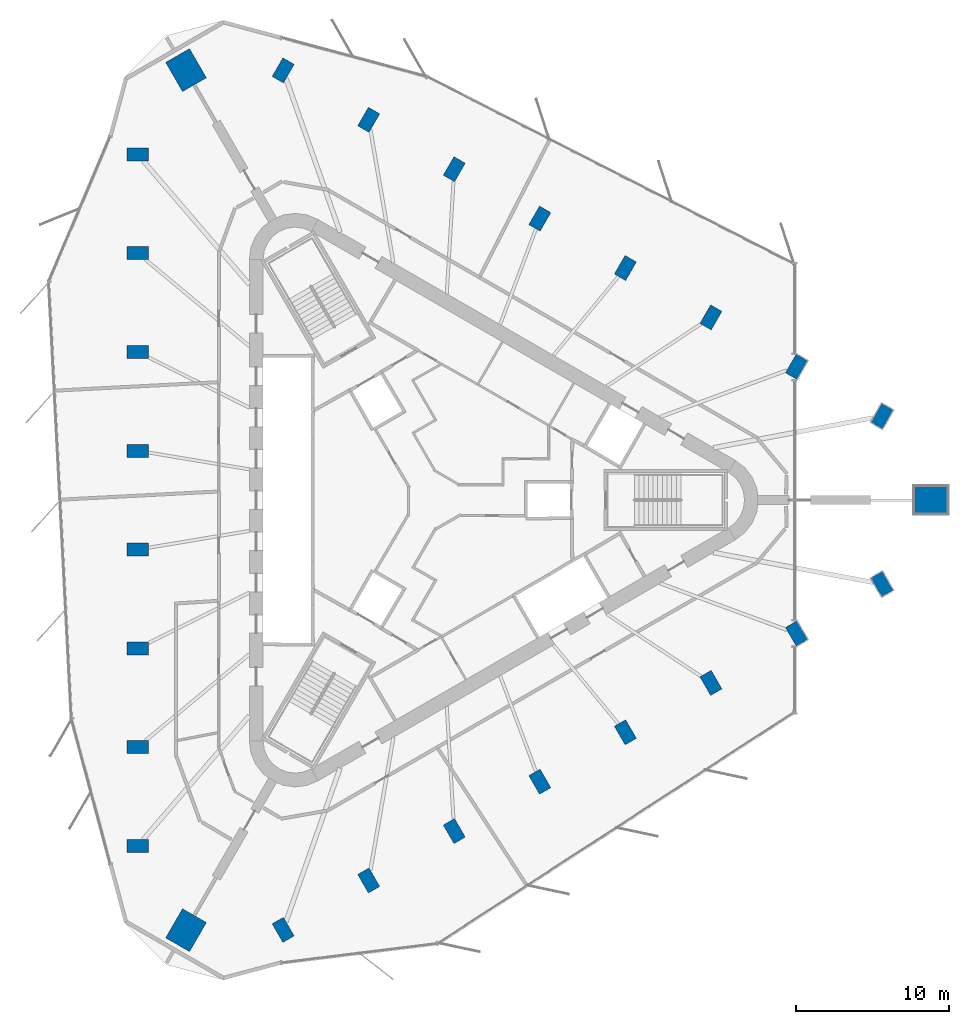
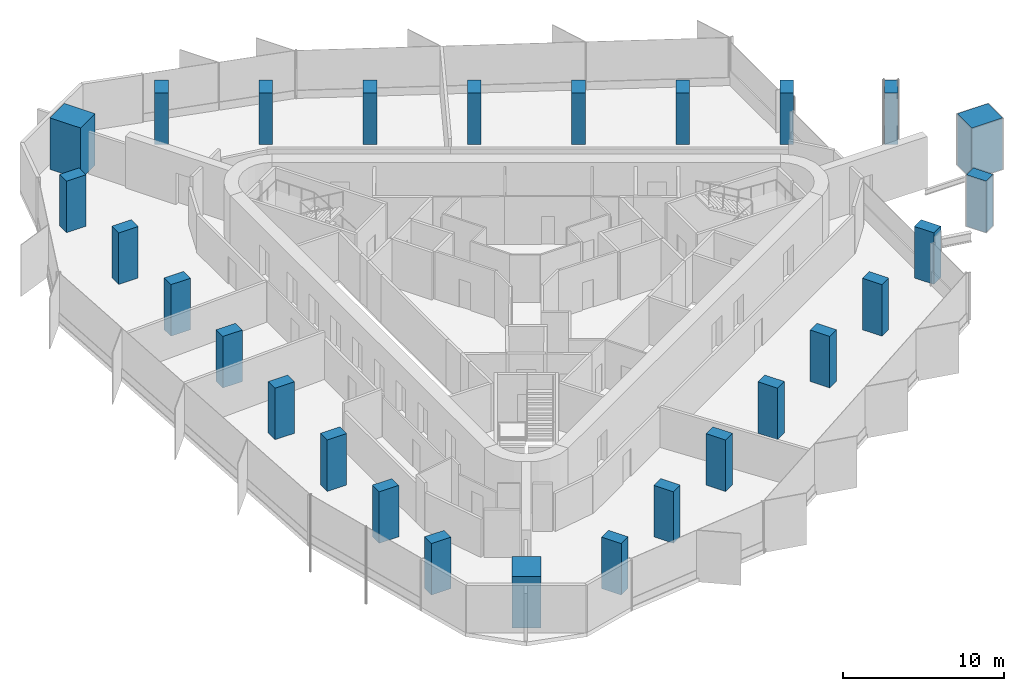
# One storey, part 1 of 12: 27 columns.
"""IFC4 building model written with IfcOpenShell, lengths in metres."""

from ifc_helpers import new_model, si_unit, direction, frame, origin, origin_2d, place, context, subcontext, project, spatial, rectangle, extrude, material, material_profile, profile_set, type_object, element, save


model = new_model("IFC4")

# Units and contexts
model_context = context("Model", 3, precision=1e-05, world=origin(), true_north=direction((0.0, 1.0)))
body_context = subcontext(model_context, "Body", "Model", "MODEL_VIEW")
ifc_project = project(units=[si_unit("LENGTHUNIT", "METRE"), si_unit("AREAUNIT", "SQUARE_METRE"), si_unit("VOLUMEUNIT", "CUBIC_METRE"), si_unit("PLANEANGLEUNIT", "RADIAN"), si_unit("MASSUNIT", "GRAM", prefix="KILO")], contexts=[model_context])

# Site, building, storey
site_placement = place(None, origin())
site = spatial("IfcSite", under=ifc_project, at=site_placement, CompositionType="ELEMENT")
building_placement = place(site_placement, origin())
building = spatial("IfcBuilding", under=site, at=building_placement, Name="Tanit Gate Tower", CompositionType="ELEMENT")
storey_placement = place(building_placement, frame((0.0, 0.0, 365.0)))
storey = spatial("IfcBuildingStorey", under=building, at=storey_placement, Name="L83", CompositionType="ELEMENT", Elevation=365.0)

# Columns
ifc_material_1 = material(Name="Concrete C50/60", Category="concrete")
ifc_material_profile_1 = material_profile(ifc_material_1, rectangle(XDim=2.199951171875, YDim=1.800048828125, at=origin_2d()), Name="RC 2200x1800")
ifc_profile_set_1 = profile_set([ifc_material_profile_1], Name="Concrete C50/60")
column_type_1 = type_object("IfcColumnType", Name="MEGA COLUMN 2200x1800 C50/60", PredefinedType="COLUMN", material=ifc_profile_set_1)
for number, where, z_axis, x_axis, name in (
    (1, (32.491455078125, 0.0, 0.0), (0.0, 0.0, 1.0), (1.0, 0.0, 0.0), "MEGA COLUMN"),
    (2, (-16.24560546875, 28.138427734375, 0.0), (0.0, 0.0, 1.0), (-0.5, 0.866025403784, 0.0), "MEGA COLUMN"),
    (3, (-16.24560546875, -28.138427734375, 0.0), (0.0, 0.0, 1.0), (-0.5, -0.866025403784, 0.0), "MEGA COLUMN"),
):
    element("IfcColumn", number, at=place(storey_placement, frame(where, z_axis=z_axis, x_axis=x_axis)), inside=storey, type_object=column_type_1, Name=name, PredefinedType="COLUMN", context=body_context, shape_type="SweptSolid", body=[
        extrude(rectangle(XDim=2.199951171875, YDim=1.800048828125, at=origin_2d()), origin(), (0.0, 0.0, 1.0), 3.89990234375),
    ])
ifc_material_2 = material(Name="Concrete C40/50", Category="concrete")
ifc_material_profile_2 = material_profile(ifc_material_2, rectangle(XDim=1.39990234375, YDim=0.85009765625, at=origin_2d()), Name="RC 1400x850")
ifc_profile_set_2 = profile_set([ifc_material_profile_2], Name="Concrete C40/50")
column_type_2 = type_object("IfcColumnType", Name="PERIMETER COLUMN 1400x850 C40/50", PredefinedType="COLUMN", material=ifc_profile_set_2)
for number, where, z_axis, x_axis, name in (
    (4, (-19.40576171875, 22.62353515625, 0.0), (0.0, 0.0, 1.0), (-1.0, 0.0, 0.0), "PERIMETER COLUMN"),
    (5, (-19.40576171875, 16.15966796875, 0.0), (0.0, 0.0, 1.0), (-1.0, 0.0, 0.0), "PERIMETER COLUMN"),
    (6, (-19.40576171875, 9.69580078125, 0.0), (0.0, 0.0, 1.0), (-1.0, 0.0, 0.0), "PERIMETER COLUMN"),
    (7, (-19.40576171875, 3.23193359375, 0.0), (0.0, 0.0, 1.0), (-1.0, 0.0, 0.0), "PERIMETER COLUMN"),
    (8, (-19.40576171875, -3.23193359375, 0.0), (0.0, 0.0, 1.0), (-1.0, 0.0, 0.0), "PERIMETER COLUMN"),
    (9, (-19.40576171875, -9.69580078125, 0.0), (0.0, 0.0, 1.0), (-1.0, 0.0, 0.0), "PERIMETER COLUMN"),
    (10, (-19.40576171875, -16.15966796875, 0.0), (0.0, 0.0, 1.0), (-1.0, 0.0, 0.0), "PERIMETER COLUMN"),
    (11, (-19.40576171875, -22.62353515625, 0.0), (0.0, 0.0, 1.0), (-1.0, 0.0, 0.0), "PERIMETER COLUMN"),
    (12, (29.295654296875, 5.494140625, 0.0), (0.0, 0.0, 1.0), (0.5, 0.866025403784, 0.0), "PERIMETER COLUMN"),
    (13, (23.69775390625, 8.72607421875, 0.0), (0.0, 0.0, 1.0), (0.5, 0.866025403784, 0.0), "PERIMETER COLUMN"),
    (14, (18.099853515625, 11.9580078125, 0.0), (0.0, 0.0, 1.0), (0.5, 0.866025403784, 0.0), "PERIMETER COLUMN"),
    (15, (12.501953125, 15.18994140625, 0.0), (0.0, 0.0, 1.0), (0.5, 0.866025403784, 0.0), "PERIMETER COLUMN"),
    (16, (6.904052734375, 18.421875, 0.0), (0.0, 0.0, 1.0), (0.5, 0.866025403784, 0.0), "PERIMETER COLUMN"),
    (17, (1.30615234375, 21.65380859375, 0.0), (0.0, 0.0, 1.0), (0.5, 0.866025403784, 0.0), "PERIMETER COLUMN"),
    (18, (-4.291748046875, 24.8857421875, 0.0), (0.0, 0.0, 1.0), (0.5, 0.866025403784, 0.0), "PERIMETER COLUMN"),
    (19, (-9.8896484375, 28.117919921875, 0.0), (0.0, 0.0, 1.0), (0.5, 0.866025403784, 0.0), "PERIMETER COLUMN"),
    (20, (-9.8896484375, -28.117919921875, 0.0), (0.0, 0.0, 1.0), (0.5, -0.866025403784, 0.0), "PERIMETER COLUMN"),
    (21, (-4.291748046875, -24.8857421875, 0.0), (0.0, 0.0, 1.0), (0.5, -0.866025403784, 0.0), "PERIMETER COLUMN"),
    (22, (1.30615234375, -21.65380859375, 0.0), (0.0, 0.0, 1.0), (0.5, -0.866025403784, 0.0), "PERIMETER COLUMN"),
    (23, (6.904052734375, -18.421875, 0.0), (0.0, 0.0, 1.0), (0.5, -0.866025403784, 0.0), "PERIMETER COLUMN"),
    (24, (12.501953125, -15.18994140625, 0.0), (0.0, 0.0, 1.0), (0.5, -0.866025403784, 0.0), "PERIMETER COLUMN"),
    (25, (18.099853515625, -11.9580078125, 0.0), (0.0, 0.0, 1.0), (0.5, -0.866025403784, 0.0), "PERIMETER COLUMN"),
    (26, (23.69775390625, -8.72607421875, 0.0), (0.0, 0.0, 1.0), (0.5, -0.866025403784, 0.0), "PERIMETER COLUMN"),
    (27, (29.295654296875, -5.494140625, 0.0), (0.0, 0.0, 1.0), (0.5, -0.866025403784, 0.0), "PERIMETER COLUMN"),
):
    element("IfcColumn", number, at=place(storey_placement, frame(where, z_axis=z_axis, x_axis=x_axis)), inside=storey, type_object=column_type_2, Name=name, PredefinedType="COLUMN", context=body_context, shape_type="SweptSolid", body=[
        extrude(rectangle(XDim=1.39990234375, YDim=0.85009765625, at=origin_2d()), origin(), (0.0, 0.0, 1.0), 3.89990234375),
    ])

save(model, "model.ifc")
